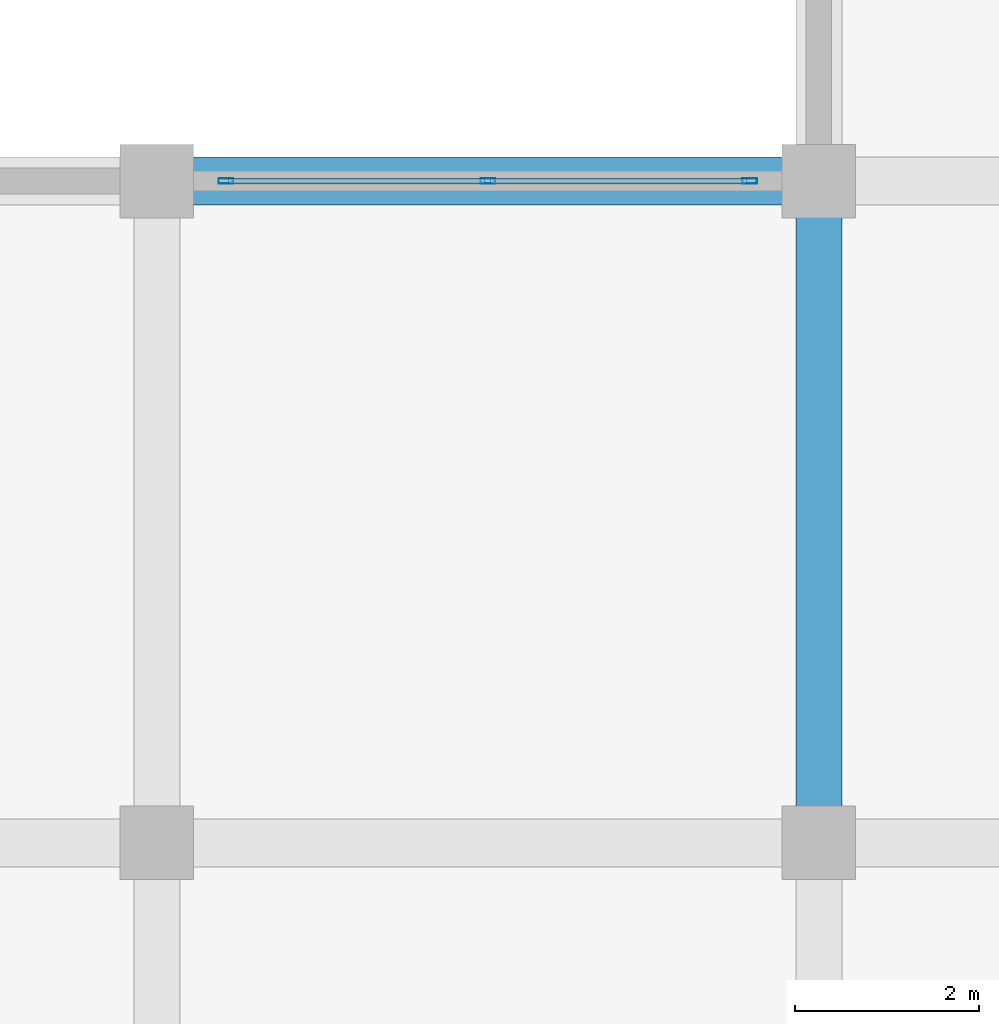
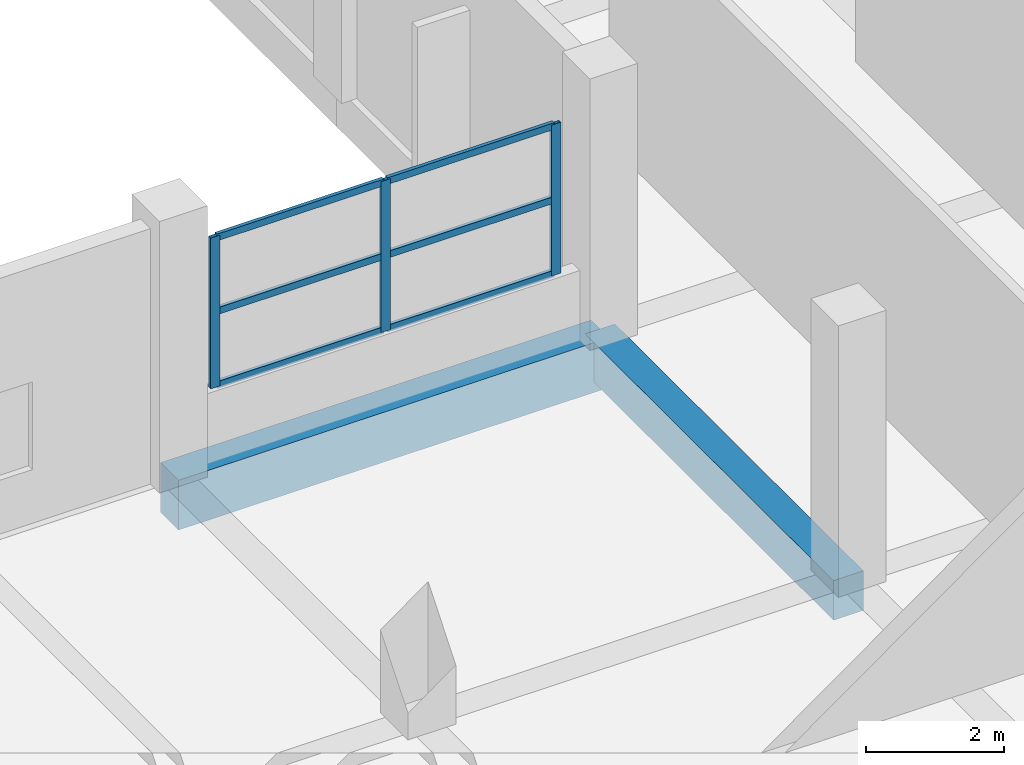
# One storey, part 31 of 140: 9 members, 2 beams, 1 element without a shape of its own.
"""IFC4 building model written with IfcOpenShell, lengths in metres."""

from ifc_helpers import new_model, si_unit, direction, frame, origin, origin_2d, place, context, subcontext, project, spatial, rectangle, hollow_rectangle, extrude, material, layer, layer_set, material_profile, profile_set, type_object, element, aggregate, save


model = new_model("IFC4")

# Units and contexts
model_context = context("Model", 3, precision=1e-05, world=origin(), true_north=direction((0.0, 1.0)))
body_context = subcontext(model_context, "Body", "Model", "MODEL_VIEW")
ifc_project = project(units=[si_unit("LENGTHUNIT", "METRE"), si_unit("AREAUNIT", "SQUARE_METRE"), si_unit("VOLUMEUNIT", "CUBIC_METRE"), si_unit("PLANEANGLEUNIT", "RADIAN"), si_unit("MASSUNIT", "GRAM", prefix="KILO")], contexts=[model_context])

# Site, building, storey
site_placement = place(None, origin())
site = spatial("IfcSite", under=ifc_project, at=site_placement, CompositionType="ELEMENT")
building_placement = place(site_placement, origin())
building = spatial("IfcBuilding", under=site, at=building_placement, Name="Seraya Terrace Polytechnic", CompositionType="ELEMENT")
storey_placement = place(building_placement, frame((0.0, 0.0, 9.60009765625)))
storey = spatial("IfcBuildingStorey", under=building, at=storey_placement, Name="L02", CompositionType="ELEMENT", Elevation=9.60009765625)

# Beams
ifc_material_1 = material(Name="Concrete C40/50", Category="concrete")
ifc_material_profile_1 = material_profile(ifc_material_1, rectangle(XDim=0.52001953125, YDim=0.8798828125, at=origin_2d()), Name="RC 520x880")
ifc_profile_set_1 = profile_set([ifc_material_profile_1], Name="Concrete C40/50")
beam_type_1 = type_object("IfcBeamType", Name="BM-04", PredefinedType="BEAM", material=ifc_profile_set_1)
beam_1_placement = place(storey_placement, frame((72.0, 28.800048828125, -0.440185546875), z_axis=(1.0, 0.0, 0.0), x_axis=(0.0, 1.0, 0.0)))
element("IfcBeam", 1, at=beam_1_placement, inside=storey, type_object=beam_type_1, Name="Beam BM-04 L02 X (72.0..79.2, 28.8)", PredefinedType="BEAM", context=body_context, shape_type="SweptSolid", body=[
    extrude(rectangle(XDim=0.52001953125, YDim=0.8798828125, at=origin_2d()), origin(), (0.0, 0.0, 1.0), 7.199951171875),
])
ifc_material_profile_2 = material_profile(ifc_material_1, rectangle(XDim=0.5, YDim=0.699951171875, at=origin_2d()), Name="RC 500x700")
ifc_profile_set_2 = profile_set([ifc_material_profile_2], Name="Concrete C40/50")
beam_type_2 = type_object("IfcBeamType", Name="BM-07", PredefinedType="BEAM", material=ifc_profile_set_2)
beam_2_placement = place(storey_placement, frame((79.199951171875, 21.60009765625, -0.35009765625), z_axis=(0.0, 1.0, 0.0), x_axis=(-1.0, 0.0, 0.0)))
element("IfcBeam", 2, at=beam_2_placement, inside=storey, type_object=beam_type_2, Name="Beam BM-07 L02 Y (79.2, 21.6..28.8)", PredefinedType="BEAM", context=body_context, shape_type="SweptSolid", body=[
    extrude(rectangle(XDim=0.5, YDim=0.699951171875, at=origin_2d()), origin(), (0.0, 0.0, 1.0), 7.199951171875),
])

# Curtain wall, members
ifc_material_2 = material(Name="Anodised aluminium EN AW-6063 T6", Category="aluminium")
ifc_layer = layer(ifc_material_2, 0.179931640625, Name="CW-08")
ifc_layer_set = layer_set([ifc_layer], Name="Anodised aluminium EN AW-6063 T6")
curtain_wall_type = type_object("IfcCurtainWallType", Name="CW-08", PredefinedType="NOTDEFINED", material=ifc_layer_set)
curtain_wall_placement = place(storey_placement, origin())
curtain_wall = element("IfcCurtainWall", 3, at=curtain_wall_placement, inside=storey, type_object=curtain_wall_type, Name="Unitised curtain wall CW-08 (CW-L02-080)", PredefinedType="NOTDEFINED")
ifc_material_profile_3 = material_profile(ifc_material_2, hollow_rectangle(XDim=0.06005859375, YDim=0.159912109375, WallThickness=0.00341796875, at=origin_2d()), Name="RHS 160x60x3.5")
ifc_profile_set_3 = profile_set([ifc_material_profile_3], Name="Anodised aluminium EN AW-6063 T6")
member_type_1 = type_object("IfcMemberType", Name="CWM-02", PredefinedType="MULLION", material=ifc_profile_set_3)
member_1_placement = place(storey_placement, frame((72.75, 28.800048828125, 1.239990234375), z_axis=(0.0, 0.0, 1.0), x_axis=(0.0, 1.0, 0.0)))
member_1 = element("IfcMember", 4, at=member_1_placement, type_object=member_type_1, Name="CW-08 mullion 1", PredefinedType="MULLION", context=body_context, shape_type="SweptSolid", body=[
    extrude(hollow_rectangle(XDim=0.06005859375, YDim=0.159912109375, WallThickness=0.00341796875, at=origin_2d()), origin(), (0.0, 0.0, 1.0), 2.669921875),
])
member_2_placement = place(storey_placement, frame((75.60009765625, 28.800048828125, 1.239990234375), z_axis=(0.0, 0.0, 1.0), x_axis=(0.0, 1.0, 0.0)))
member_2 = element("IfcMember", 5, at=member_2_placement, type_object=member_type_1, Name="CW-08 mullion 2", PredefinedType="MULLION", context=body_context, shape_type="SweptSolid", body=[
    extrude(hollow_rectangle(XDim=0.06005859375, YDim=0.159912109375, WallThickness=0.00341796875, at=origin_2d()), origin(), (0.0, 0.0, 1.0), 2.669921875),
])
member_3_placement = place(storey_placement, frame((78.449951171875, 28.800048828125, 1.239990234375), z_axis=(0.0, 0.0, 1.0), x_axis=(0.0, 1.0, 0.0)))
member_3 = element("IfcMember", 6, at=member_3_placement, type_object=member_type_1, Name="CW-08 mullion 3", PredefinedType="MULLION", context=body_context, shape_type="SweptSolid", body=[
    extrude(hollow_rectangle(XDim=0.06005859375, YDim=0.159912109375, WallThickness=0.00341796875, at=origin_2d()), origin(), (0.0, 0.0, 1.0), 2.669921875),
])
ifc_material_profile_4 = material_profile(ifc_material_2, hollow_rectangle(XDim=0.06005859375, YDim=0.1201171875, WallThickness=0.003173828125, at=origin_2d()), Name="RHS 120x60x3.2")
ifc_profile_set_4 = profile_set([ifc_material_profile_4], Name="Anodised aluminium EN AW-6063 T6")
member_type_2 = type_object("IfcMemberType", Name="CWT-02", PredefinedType="USERDEFINED", material=ifc_profile_set_4)
member_4_placement = place(storey_placement, frame((72.780029296875, 28.800048828125, 1.27001953125), z_axis=(1.0, 0.0, 0.0), x_axis=(0.0, 1.0, 0.0)))
member_4 = element("IfcMember", 7, at=member_4_placement, type_object=member_type_2, Name="CW-08 transom 1.1", ObjectType="TRANSOM", PredefinedType="USERDEFINED", context=body_context, shape_type="SweptSolid", body=[
    extrude(hollow_rectangle(XDim=0.06005859375, YDim=0.1201171875, WallThickness=0.003173828125, at=origin_2d()), origin(), (0.0, 0.0, 1.0), 2.7900390625),
])
member_5_placement = place(storey_placement, frame((72.780029296875, 28.800048828125, 2.574951171875), z_axis=(1.0, 0.0, 0.0), x_axis=(0.0, 1.0, 0.0)))
member_5 = element("IfcMember", 8, at=member_5_placement, type_object=member_type_2, Name="CW-08 transom 1.2", ObjectType="TRANSOM", PredefinedType="USERDEFINED", context=body_context, shape_type="SweptSolid", body=[
    extrude(hollow_rectangle(XDim=0.06005859375, YDim=0.1201171875, WallThickness=0.003173828125, at=origin_2d()), origin(), (0.0, 0.0, 1.0), 2.7900390625),
])
member_6_placement = place(storey_placement, frame((72.780029296875, 28.800048828125, 3.8798828125), z_axis=(1.0, 0.0, 0.0), x_axis=(0.0, 1.0, 0.0)))
member_6 = element("IfcMember", 9, at=member_6_placement, type_object=member_type_2, Name="CW-08 transom 1.3", ObjectType="TRANSOM", PredefinedType="USERDEFINED", context=body_context, shape_type="SweptSolid", body=[
    extrude(hollow_rectangle(XDim=0.06005859375, YDim=0.1201171875, WallThickness=0.003173828125, at=origin_2d()), origin(), (0.0, 0.0, 1.0), 2.7900390625),
])
member_7_placement = place(storey_placement, frame((75.6298828125, 28.800048828125, 1.27001953125), z_axis=(1.0, 0.0, 0.0), x_axis=(0.0, 1.0, 0.0)))
member_7 = element("IfcMember", 10, at=member_7_placement, type_object=member_type_2, Name="CW-08 transom 2.1", ObjectType="TRANSOM", PredefinedType="USERDEFINED", context=body_context, shape_type="SweptSolid", body=[
    extrude(hollow_rectangle(XDim=0.06005859375, YDim=0.1201171875, WallThickness=0.003173828125, at=origin_2d()), origin(), (0.0, 0.0, 1.0), 2.7900390625),
])
member_8_placement = place(storey_placement, frame((75.6298828125, 28.800048828125, 2.574951171875), z_axis=(1.0, 0.0, 0.0), x_axis=(0.0, 1.0, 0.0)))
member_8 = element("IfcMember", 11, at=member_8_placement, type_object=member_type_2, Name="CW-08 transom 2.2", ObjectType="TRANSOM", PredefinedType="USERDEFINED", context=body_context, shape_type="SweptSolid", body=[
    extrude(hollow_rectangle(XDim=0.06005859375, YDim=0.1201171875, WallThickness=0.003173828125, at=origin_2d()), origin(), (0.0, 0.0, 1.0), 2.7900390625),
])
member_9_placement = place(storey_placement, frame((75.6298828125, 28.800048828125, 3.8798828125), z_axis=(1.0, 0.0, 0.0), x_axis=(0.0, 1.0, 0.0)))
member_9 = element("IfcMember", 12, at=member_9_placement, type_object=member_type_2, Name="CW-08 transom 2.3", ObjectType="TRANSOM", PredefinedType="USERDEFINED", context=body_context, shape_type="SweptSolid", body=[
    extrude(hollow_rectangle(XDim=0.06005859375, YDim=0.1201171875, WallThickness=0.003173828125, at=origin_2d()), origin(), (0.0, 0.0, 1.0), 2.7900390625),
])
aggregate(curtain_wall, [member_1, member_2, member_3, member_4, member_5, member_6, member_7, member_8, member_9])

save(model, "model.ifc")
